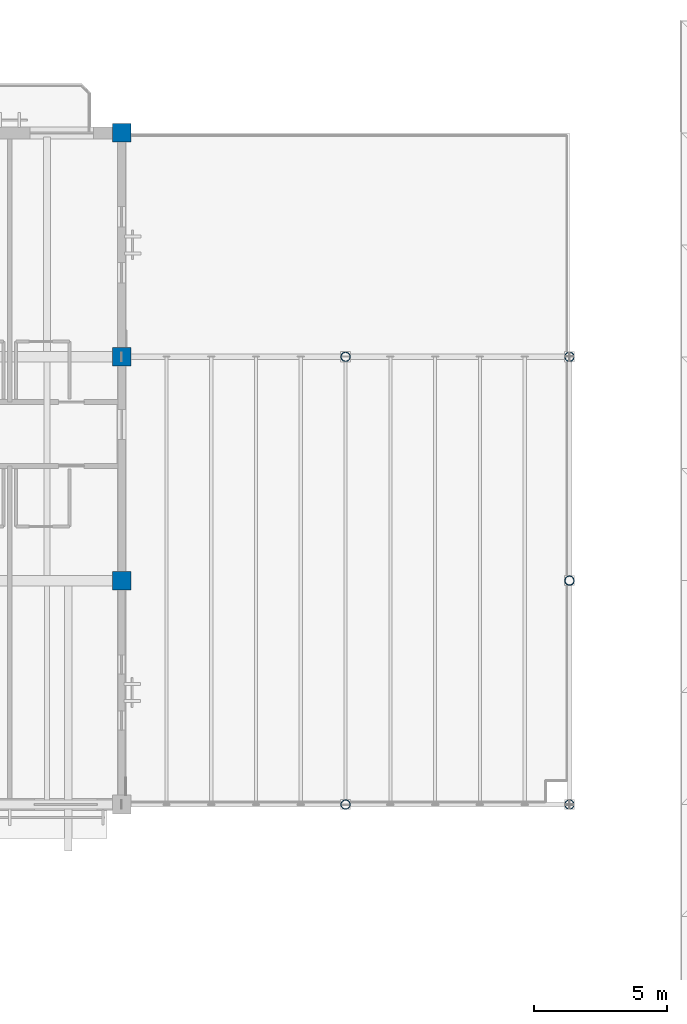
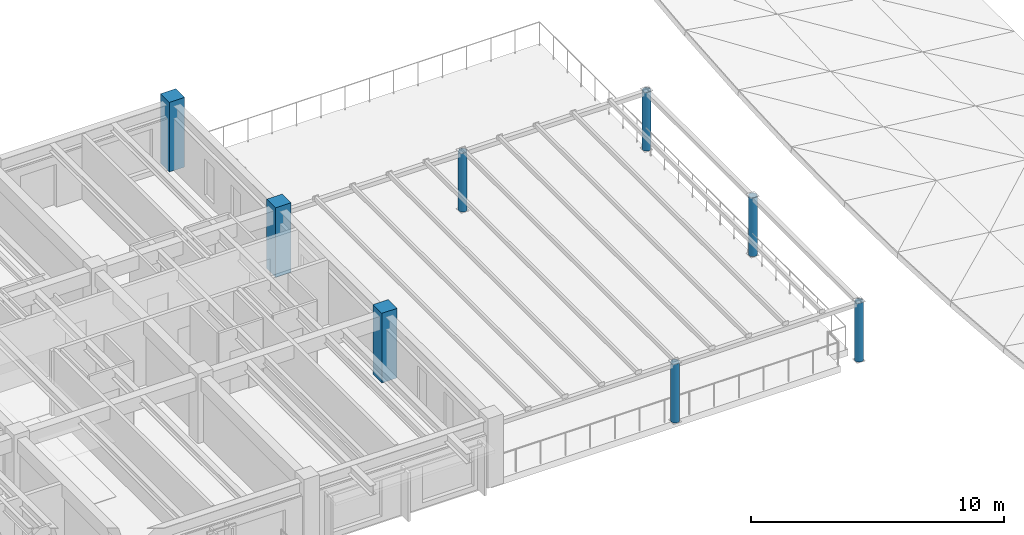
# One storey, part 2 of 93: 8 columns.
"""IFC4 building model written with IfcOpenShell, lengths in metres."""

from ifc_helpers import new_model, si_unit, direction, frame, origin, origin_2d, place, context, subcontext, project, spatial, rectangle, hollow_circle, extrude, material, material_profile, profile_set, type_object, element, save


model = new_model("IFC4")

# Units and contexts
model_context = context("Model", 3, precision=1e-05, world=origin(), true_north=direction((0.0, 1.0)))
body_context = subcontext(model_context, "Body", "Model", "MODEL_VIEW")
ifc_project = project(units=[si_unit("LENGTHUNIT", "METRE"), si_unit("AREAUNIT", "SQUARE_METRE"), si_unit("VOLUMEUNIT", "CUBIC_METRE"), si_unit("PLANEANGLEUNIT", "RADIAN"), si_unit("MASSUNIT", "GRAM", prefix="KILO")], contexts=[model_context])

# Site, building, storey
site_placement = place(None, origin())
site = spatial("IfcSite", under=ifc_project, at=site_placement, CompositionType="ELEMENT")
building_placement = place(site_placement, origin())
building = spatial("IfcBuilding", under=site, at=building_placement, Name="Cumbredor Promenade Congress Hotel", CompositionType="ELEMENT")
storey_placement = place(building_placement, frame((0.0, 0.0, 21.840087890625)))
storey = spatial("IfcBuildingStorey", under=building, at=storey_placement, Name="L06", CompositionType="ELEMENT", Elevation=21.840087890625)

# Columns
ifc_material_1 = material(Name="Concrete C40/50", Category="concrete")
ifc_material_profile_1 = material_profile(ifc_material_1, rectangle(XDim=0.699951171875, YDim=0.699951171875, at=origin_2d()), Name="RC 700x700")
ifc_profile_set_1 = profile_set([ifc_material_profile_1], Name="Concrete C40/50")
column_type_1 = type_object("IfcColumnType", Name="COL-RC-700", PredefinedType="COLUMN", material=ifc_profile_set_1)
for number, where, z_axis, x_axis, name in (
    (1, (67.199951171875, 100.800048828125, 0.0), (0.0, 0.0, 1.0), (1.0, 0.0, 0.0), "L06 Structural Column 034"),
    (2, (67.199951171875, 109.199951171875, 0.0), (0.0, 0.0, 1.0), (1.0, 0.0, 0.0), "L06 Structural Column 035"),
    (3, (67.199951171875, 117.60009765625, 0.0), (0.0, 0.0, 1.0), (1.0, 0.0, 0.0), "L06 Structural Column 036"),
):
    element("IfcColumn", number, at=place(storey_placement, frame(where, z_axis=z_axis, x_axis=x_axis)), inside=storey, type_object=column_type_1, Name=name, PredefinedType="COLUMN", context=body_context, shape_type="SweptSolid", body=[
        extrude(rectangle(XDim=0.699951171875, YDim=0.699951171875, at=origin_2d()), origin(), (0.0, 0.0, 1.0), 3.35986328125),
    ])
ifc_material_2 = material(Name="Steel ASTM A500 Grade C", Category="steel")
ifc_material_profile_2 = material_profile(ifc_material_2, hollow_circle(Radius=0.177734375, WallThickness=0.01611328125, at=origin_2d()), Name="CHS 355.6x16")
ifc_profile_set_2 = profile_set([ifc_material_profile_2], Name="Steel ASTM A500 Grade C")
column_type_2 = type_object("IfcColumnType", Name="COL-STL-CHS355", PredefinedType="COLUMN", material=ifc_profile_set_2)
for number, where, z_axis, x_axis, name in (
    (4, (75.60009765625, 92.39990234375, 0.0048828125), (0.0, 0.0, 1.0), (1.0, 0.0, 0.0), "L06 Sky-Garden Pergola Post 3.4"),
    (5, (75.60009765625, 109.199951171875, 0.0048828125), (0.0, 0.0, 1.0), (1.0, 0.0, 0.0), "L06 Sky-Garden Pergola Post 3.5"),
    (6, (84.0, 92.39990234375, 0.0048828125), (0.0, 0.0, 1.0), (1.0, 0.0, 0.0), "L06 Sky-Garden Pergola Post 3.6"),
    (7, (84.0, 100.800048828125, 0.0048828125), (0.0, 0.0, 1.0), (1.0, 0.0, 0.0), "L06 Sky-Garden Pergola Post 3.7"),
    (8, (84.0, 109.199951171875, 0.0048828125), (0.0, 0.0, 1.0), (1.0, 0.0, 0.0), "L06 Sky-Garden Pergola Post 3.8"),
):
    element("IfcColumn", number, at=place(storey_placement, frame(where, z_axis=z_axis, x_axis=x_axis)), inside=storey, type_object=column_type_2, Name=name, PredefinedType="COLUMN", context=body_context, shape_type="SweptSolid", body=[
        extrude(hollow_circle(Radius=0.177734375, WallThickness=0.01611328125, at=origin_2d()), origin(), (0.0, 0.0, 1.0), 2.844970703125),
    ])

save(model, "model.ifc")
